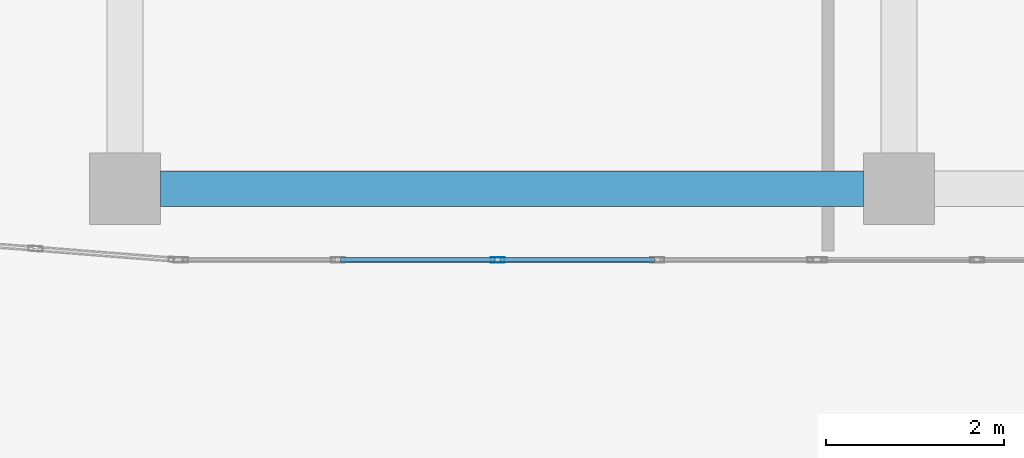
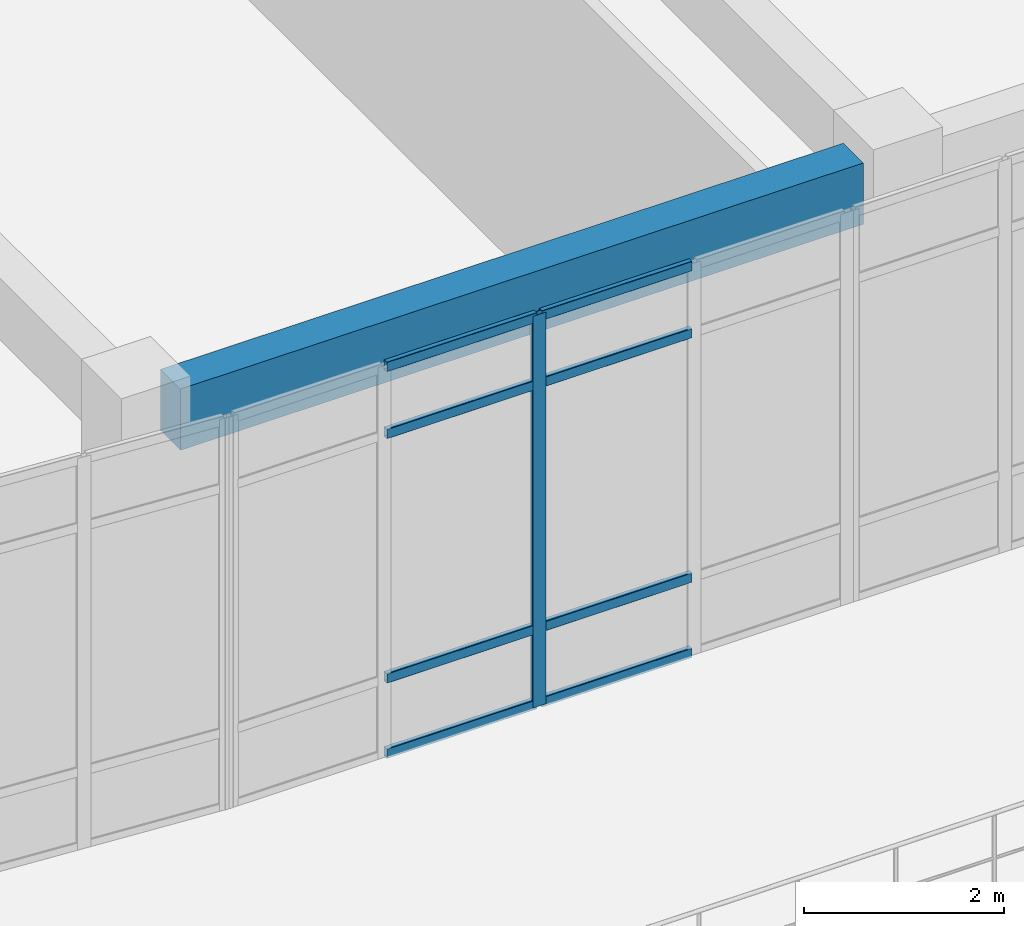
# One storey, part 8 of 96: 9 members, 1 beam, 1 element without a shape of its own.
"""IFC4 building model written with IfcOpenShell, lengths in metres."""

from ifc_helpers import new_model, si_unit, derived_unit, direction, frame, origin, origin_2d, place, context, subcontext, project, spatial, rectangle, hollow_rectangle, extrude, material, layer, layer_set, material_profile, profile_set, type_object, element, aggregate, save


model = new_model("IFC4")

# Units and contexts
model_context = context("Model", 3, precision=1e-05, world=origin(), true_north=direction((0.0, 1.0)))
body_context = subcontext(model_context, "Body", "Model", "MODEL_VIEW")
ifc_project = project(units=[si_unit("LENGTHUNIT", "METRE"), si_unit("AREAUNIT", "SQUARE_METRE"), si_unit("VOLUMEUNIT", "CUBIC_METRE"), si_unit("PLANEANGLEUNIT", "RADIAN"), si_unit("MASSUNIT", "GRAM", prefix="KILO"), derived_unit("THERMALTRANSMITTANCEUNIT", [(si_unit("MASSUNIT", "GRAM", prefix="KILO"), 1), (si_unit("TIMEUNIT", "SECOND"), -3), (si_unit("THERMODYNAMICTEMPERATUREUNIT", "KELVIN"), -1)])], contexts=[model_context])

# Site, building, storey
site_placement = place(None, origin())
site = spatial("IfcSite", under=ifc_project, at=site_placement, CompositionType="ELEMENT")
building_placement = place(site_placement, origin())
building = spatial("IfcBuilding", under=site, at=building_placement, Name="Qinzheling Arcade Emporium", CompositionType="ELEMENT")
storey_placement = place(building_placement, frame((0.0, 0.0, 21.60009765625)))
storey = spatial("IfcBuildingStorey", under=building, at=storey_placement, Name="L05", CompositionType="ELEMENT", Elevation=21.60009765625)

# Curtain wall, members
ifc_material_1 = material(Name="Anodised aluminium and solar-control double glazing", Category="aluminium")
ifc_layer = layer(ifc_material_1, 0.159912109375, Name="Anodised aluminium and solar-control double glazing", Category="aluminium")
ifc_layer_set = layer_set([ifc_layer], Name="Anodised aluminium and solar-control double glazing")
curtain_wall_type = type_object("IfcCurtainWallType", Name="Arcade Portal Glazed Curtain Wall", PredefinedType="NOTDEFINED", material=ifc_layer_set)
curtain_wall_placement = place(storey_placement, origin())
curtain_wall = element("IfcCurtainWall", 1, at=curtain_wall_placement, inside=storey, type_object=curtain_wall_type, Name="Curtain Wall CW-L05-301", PredefinedType="NOTDEFINED")
ifc_material_2 = material(Name="Anodised aluminium 6063-T6", Category="aluminium")
ifc_material_profile_1 = material_profile(ifc_material_2, hollow_rectangle(XDim=0.06005859375, YDim=0.159912109375, WallThickness=0.00390625, InnerFilletRadius=0.00390625, OuterFilletRadius=0.008056640625, at=origin_2d()), Name="RHS 160x60x4", Category="aluminium")
ifc_profile_set_1 = profile_set([ifc_material_profile_1], Name="Anodised aluminium 6063-T6")
member_type_1 = type_object("IfcMemberType", Name="Curtain Wall Mullion RHS160x60", PredefinedType="MULLION", material=ifc_profile_set_1)
member_1_placement = place(storey_placement, frame((30.2890625, 7.60009765625, 0.0), z_axis=(0.0, 0.0, 1.0), x_axis=(0.0, -1.0, 0.0)))
member_1 = element("IfcMember", 2, at=member_1_placement, type_object=member_type_1, Name="CW05 mullion 3", PredefinedType="MULLION", context=body_context, shape_type="SweptSolid", body=[
    extrude(hollow_rectangle(XDim=0.06005859375, YDim=0.159912109375, WallThickness=0.00390625, InnerFilletRadius=0.00390625, OuterFilletRadius=0.008056640625, at=origin_2d()), origin(), (0.0, 0.0, 1.0), 4.789794921875),
])
ifc_material_profile_2 = material_profile(ifc_material_2, hollow_rectangle(XDim=0.06005859375, YDim=0.1201171875, WallThickness=0.00390625, InnerFilletRadius=0.00390625, OuterFilletRadius=0.008056640625, at=origin_2d()), Name="RHS 120x60x4", Category="aluminium")
ifc_profile_set_2 = profile_set([ifc_material_profile_2], Name="Anodised aluminium 6063-T6")
member_type_2 = type_object("IfcMemberType", Name="Curtain Wall Transom RHS120x60", PredefinedType="USERDEFINED", material=ifc_profile_set_2)
member_2_placement = place(storey_placement, frame((32.053466796875, 7.60009765625, 0.02978515625), z_axis=(-1.0, 0.0, 0.0), x_axis=(0.0, -1.0, 0.0)))
member_2 = element("IfcMember", 3, at=member_2_placement, type_object=member_type_2, Name="CW05 transom 2.1", ObjectType="TRANSOM", PredefinedType="USERDEFINED", context=body_context, shape_type="SweptSolid", body=[
    extrude(hollow_rectangle(XDim=0.06005859375, YDim=0.1201171875, WallThickness=0.00390625, InnerFilletRadius=0.00390625, OuterFilletRadius=0.008056640625, at=origin_2d()), origin(), (0.0, 0.0, 1.0), 1.734375),
])
member_3_placement = place(storey_placement, frame((32.053466796875, 7.60009765625, 0.949951171875), z_axis=(-1.0, 0.0, 0.0), x_axis=(0.0, -1.0, 0.0)))
member_3 = element("IfcMember", 4, at=member_3_placement, type_object=member_type_2, Name="CW05 transom 2.2", ObjectType="TRANSOM", PredefinedType="USERDEFINED", context=body_context, shape_type="SweptSolid", body=[
    extrude(hollow_rectangle(XDim=0.06005859375, YDim=0.1201171875, WallThickness=0.00390625, InnerFilletRadius=0.00390625, OuterFilletRadius=0.008056640625, at=origin_2d()), origin(), (0.0, 0.0, 1.0), 1.734375),
])
member_4_placement = place(storey_placement, frame((32.053466796875, 7.60009765625, 3.93994140625), z_axis=(-1.0, 0.0, 0.0), x_axis=(0.0, -1.0, 0.0)))
member_4 = element("IfcMember", 5, at=member_4_placement, type_object=member_type_2, Name="CW05 transom 2.3", ObjectType="TRANSOM", PredefinedType="USERDEFINED", context=body_context, shape_type="SweptSolid", body=[
    extrude(hollow_rectangle(XDim=0.06005859375, YDim=0.1201171875, WallThickness=0.00390625, InnerFilletRadius=0.00390625, OuterFilletRadius=0.008056640625, at=origin_2d()), origin(), (0.0, 0.0, 1.0), 1.734375),
])
member_5_placement = place(storey_placement, frame((32.053466796875, 7.60009765625, 4.760009765625), z_axis=(-1.0, 0.0, 0.0), x_axis=(0.0, -1.0, 0.0)))
member_5 = element("IfcMember", 6, at=member_5_placement, type_object=member_type_2, Name="CW05 transom 2.4", ObjectType="TRANSOM", PredefinedType="USERDEFINED", context=body_context, shape_type="SweptSolid", body=[
    extrude(hollow_rectangle(XDim=0.06005859375, YDim=0.1201171875, WallThickness=0.00390625, InnerFilletRadius=0.00390625, OuterFilletRadius=0.008056640625, at=origin_2d()), origin(), (0.0, 0.0, 1.0), 1.734375),
])
member_6_placement = place(storey_placement, frame((30.259033203125, 7.60009765625, 0.02978515625), z_axis=(-1.0, 0.0, 0.0), x_axis=(0.0, -1.0, 0.0)))
member_6 = element("IfcMember", 7, at=member_6_placement, type_object=member_type_2, Name="CW05 transom 3.1", ObjectType="TRANSOM", PredefinedType="USERDEFINED", context=body_context, shape_type="SweptSolid", body=[
    extrude(hollow_rectangle(XDim=0.06005859375, YDim=0.1201171875, WallThickness=0.00390625, InnerFilletRadius=0.00390625, OuterFilletRadius=0.008056640625, at=origin_2d()), origin(), (0.0, 0.0, 1.0), 1.734619140625),
])
member_7_placement = place(storey_placement, frame((30.259033203125, 7.60009765625, 0.949951171875), z_axis=(-1.0, 0.0, 0.0), x_axis=(0.0, -1.0, 0.0)))
member_7 = element("IfcMember", 8, at=member_7_placement, type_object=member_type_2, Name="CW05 transom 3.2", ObjectType="TRANSOM", PredefinedType="USERDEFINED", context=body_context, shape_type="SweptSolid", body=[
    extrude(hollow_rectangle(XDim=0.06005859375, YDim=0.1201171875, WallThickness=0.00390625, InnerFilletRadius=0.00390625, OuterFilletRadius=0.008056640625, at=origin_2d()), origin(), (0.0, 0.0, 1.0), 1.734619140625),
])
member_8_placement = place(storey_placement, frame((30.259033203125, 7.60009765625, 3.93994140625), z_axis=(-1.0, 0.0, 0.0), x_axis=(0.0, -1.0, 0.0)))
member_8 = element("IfcMember", 9, at=member_8_placement, type_object=member_type_2, Name="CW05 transom 3.3", ObjectType="TRANSOM", PredefinedType="USERDEFINED", context=body_context, shape_type="SweptSolid", body=[
    extrude(hollow_rectangle(XDim=0.06005859375, YDim=0.1201171875, WallThickness=0.00390625, InnerFilletRadius=0.00390625, OuterFilletRadius=0.008056640625, at=origin_2d()), origin(), (0.0, 0.0, 1.0), 1.734619140625),
])
member_9_placement = place(storey_placement, frame((30.259033203125, 7.60009765625, 4.760009765625), z_axis=(-1.0, 0.0, 0.0), x_axis=(0.0, -1.0, 0.0)))
member_9 = element("IfcMember", 10, at=member_9_placement, type_object=member_type_2, Name="CW05 transom 3.4", ObjectType="TRANSOM", PredefinedType="USERDEFINED", context=body_context, shape_type="SweptSolid", body=[
    extrude(hollow_rectangle(XDim=0.06005859375, YDim=0.1201171875, WallThickness=0.00390625, InnerFilletRadius=0.00390625, OuterFilletRadius=0.008056640625, at=origin_2d()), origin(), (0.0, 0.0, 1.0), 1.734619140625),
])
aggregate(curtain_wall, [member_1, member_2, member_3, member_4, member_5, member_6, member_7, member_8, member_9])

# Beam
ifc_material_3 = material(Name="Concrete C40", Category="concrete")
ifc_material_profile_3 = material_profile(ifc_material_3, rectangle(XDim=0.39990234375, YDim=0.75, at=origin_2d()), Name="RC 400x750", Category="concrete")
ifc_profile_set_3 = profile_set([ifc_material_profile_3], Name="Concrete C40")
beam_type = type_object("IfcBeamType", Name="RC Interior Tie Beam 400x750 C40", PredefinedType="BEAM", material=ifc_profile_set_3)
beam_placement = place(storey_placement, frame((26.5, 8.39990234375, 4.44482421875), z_axis=(1.0, 0.0, 0.0), x_axis=(0.0, 1.0, 0.0)))
element("IfcBeam", 11, at=beam_placement, inside=storey, type_object=beam_type, Name="Beam BM-L05-X-B-4", PredefinedType="BEAM", context=body_context, shape_type="SweptSolid", body=[
    extrude(rectangle(XDim=0.39990234375, YDim=0.75, at=origin_2d()), origin(), (0.0, 0.0, 1.0), 7.89990234375),
])

save(model, "model.ifc")
